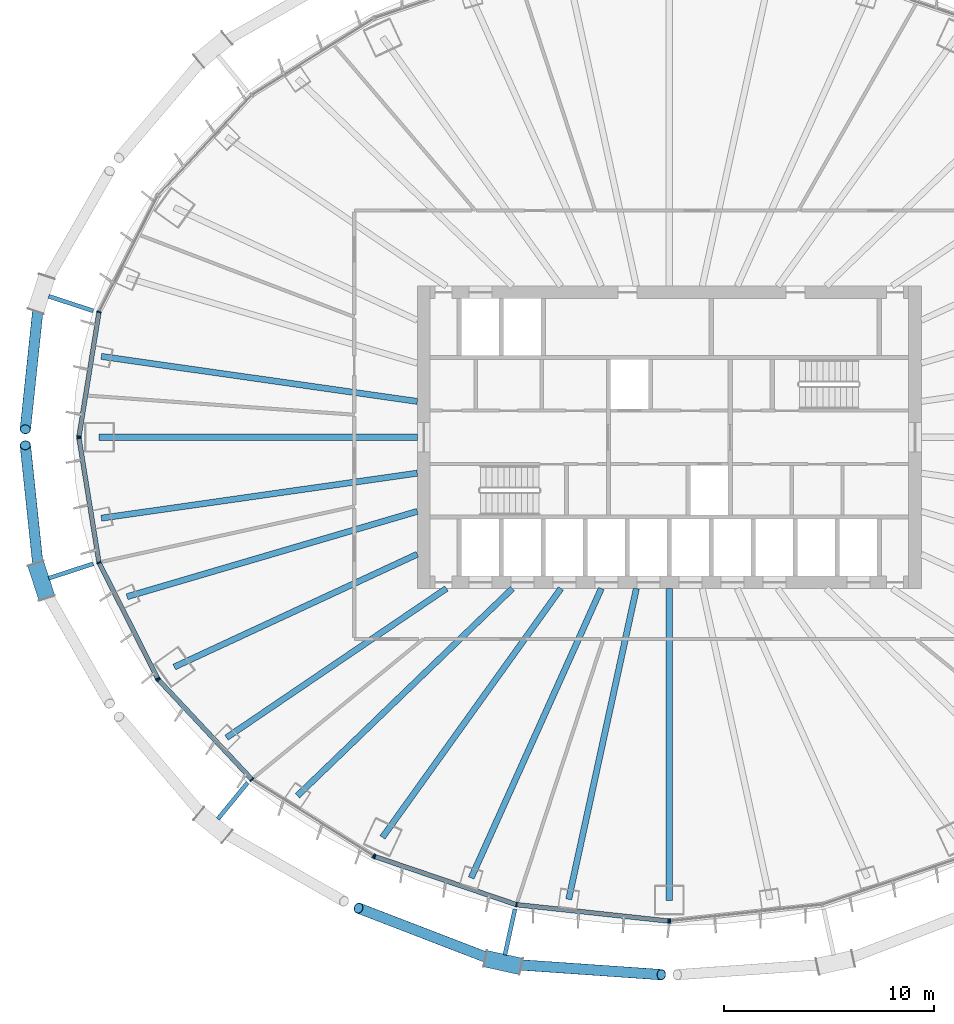
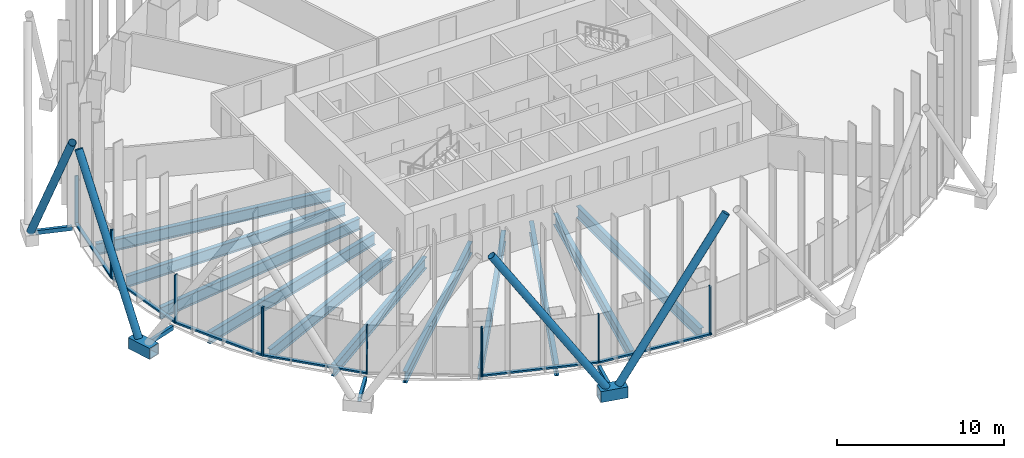
# One storey, part 2 of 22: 28 members, 11 beams, 5 elements without a shape of their own.
"""IFC4 building model written with IfcOpenShell, lengths in metres."""

import ifcopenshell
import ifcopenshell.guid

model = None  # the IFC model being written
_history = None  # IfcOwnerHistory: only IFC2X3 demands one
_inside = {}  # id of a spatial element -> (the spatial element, [elements in it])
_under = {}  # id of a project, library or spatial element -> (it, [spatial elements below it])
_declared = {}  # id of a project -> (the project, [libraries it declares])
_typed = {}  # id of a type object -> (the type object, [elements of that type])
_made_of = {}  # id of a material, layer set ... -> (it, [elements and type objects made of it])


def new_model(schema):
    """Start an empty IFC model of exactly this schema.

    Asked for "IFC4X3", IfcOpenShell would pick the latest addendum, in which some entities
    have other attributes; the version numbers below select the first issue.
    IFC2X3 requires an IfcOwnerHistory on every rooted entity: one is made here for all.
    """
    global model, _history
    if schema == "IFC4X3":
        model = ifcopenshell.file(schema_version=(4, 3, 0, 0))
    else:
        model = ifcopenshell.file(schema=schema)
    _inside.clear()
    _under.clear()
    _declared.clear()
    _typed.clear()
    _made_of.clear()
    _history = None
    if model.schema == "IFC2X3":
        org = make("IfcOrganization", Name="unknown")
        user = make(
            "IfcPersonAndOrganization",
            ThePerson=make("IfcPerson", FamilyName="unknown"),
            TheOrganization=org,
        )
        app = make(
            "IfcApplication",
            ApplicationDeveloper=org,
            Version="unknown",
            ApplicationFullName="unknown",
            ApplicationIdentifier="unknown",
        )
        _history = make(
            "IfcOwnerHistory",
            OwningUser=user,
            OwningApplication=app,
            ChangeAction="ADDED",
            CreationDate=0,
        )
    return model


def make(cls, **values):
    """One entity of the class cls with the attributes given. An attribute that is None is left unset."""
    return model.create_entity(
        cls, **{name: value for name, value in values.items() if value is not None}
    )


def rooted(cls, **values):
    """An entity with a GlobalId (a new one), such as an element, a storey or a relation."""
    return make(cls, GlobalId=ifcopenshell.guid.new(), OwnerHistory=_history, **values)


def si_unit(unit_type, name, prefix=None):
    """IfcSIUnit, for example si_unit("LENGTHUNIT", "METRE", prefix="MILLI")."""
    return make("IfcSIUnit", UnitType=unit_type, Prefix=prefix, Name=name)


def assignment(units):
    """IfcUnitAssignment: the units of a project."""
    return None if units is None else make("IfcUnitAssignment", Units=units)


def point(xyz):
    """IfcCartesianPoint."""
    return None if xyz is None else make("IfcCartesianPoint", Coordinates=xyz)


def direction(xyz):
    """IfcDirection."""
    return None if xyz is None else make("IfcDirection", DirectionRatios=xyz)


def frame(location, z_axis=None, x_axis=None):
    """IfcAxis2Placement3D, a coordinate frame: its origin and axes. An axis left out is left unset."""
    return make(
        "IfcAxis2Placement3D",
        Location=point(location),
        Axis=direction(z_axis),
        RefDirection=direction(x_axis),
    )


def frame_2d(location, x_axis=None):
    """IfcAxis2Placement2D, a coordinate frame in the plane: its origin and x axis."""
    return make(
        "IfcAxis2Placement2D", Location=point(location), RefDirection=direction(x_axis)
    )


def origin():
    """The frame at (0, 0, 0) with its axes left unset."""
    return frame((0.0, 0.0, 0.0))


def origin_2d():
    """The frame at (0, 0) in the plane with its x axis left unset."""
    return frame_2d((0.0, 0.0))


def place(relative_to, where):
    """IfcLocalPlacement: puts the frame where relative to a parent placement (None: the world)."""
    return make(
        "IfcLocalPlacement", PlacementRelTo=relative_to, RelativePlacement=where
    )


def context(
    kind, dimensions, precision=None, world=None, true_north=None, identifier=None
):
    """IfcGeometricRepresentationContext, for example the 3D "Model" context."""
    return make(
        "IfcGeometricRepresentationContext",
        ContextIdentifier=identifier,
        ContextType=kind,
        CoordinateSpaceDimension=dimensions,
        Precision=precision,
        WorldCoordinateSystem=world,
        TrueNorth=true_north,
    )


def subcontext(parent, identifier, kind, view, scale=None):
    """IfcGeometricRepresentationSubContext, for example "Body" below "Model"."""
    return make(
        "IfcGeometricRepresentationSubContext",
        ContextIdentifier=identifier,
        ContextType=kind,
        ParentContext=parent,
        TargetScale=scale,
        TargetView=view,
    )


def project(units=None, contexts=None):
    """IfcProject with its units and contexts."""
    return rooted(
        "IfcProject",
        Name="project",
        RepresentationContexts=contexts,
        UnitsInContext=assignment(units),
    )


def spatial(cls, under=None, at=None, **own):
    """A site, building, storey or space (cls), placed at a placement, below another one or the project."""
    s = rooted(cls, ObjectPlacement=at, **own)
    if under is not None:
        _under.setdefault(under.id(), (under, []))[1].append(s)
    return s


def profile(cls, at=None, kind="AREA", **sizes):
    """A parametric profile (cls). Its sizes go by their IFC names, for example OverallWidth=200.0."""
    return make(cls, ProfileType=kind, Position=at, **sizes)


def rectangle(**sizes):
    """IfcRectangleProfileDef."""
    return profile("IfcRectangleProfileDef", **sizes)


def hollow_rectangle(**sizes):
    """IfcRectangleHollowProfileDef."""
    return profile("IfcRectangleHollowProfileDef", **sizes)


def hollow_circle(**sizes):
    """IfcCircleHollowProfileDef."""
    return profile("IfcCircleHollowProfileDef", **sizes)


def i_section(**sizes):
    """IfcIShapeProfileDef."""
    return profile("IfcIShapeProfileDef", **sizes)


def extrude(swept, where, along, depth):
    """IfcExtrudedAreaSolid: the profile swept, set in the frame where, extruded along a direction by depth."""
    return make(
        "IfcExtrudedAreaSolid",
        SweptArea=swept,
        Position=where,
        ExtrudedDirection=direction(along),
        Depth=depth,
    )


def shape(context_of_items, identifier, shape_type, items):
    """IfcShapeRepresentation: the items that make up one representation, for example the "Body"."""
    return make(
        "IfcShapeRepresentation",
        ContextOfItems=context_of_items,
        RepresentationIdentifier=identifier,
        RepresentationType=shape_type,
        Items=items,
    )


def material(Name=None, Category=None):
    """IfcMaterial."""
    return make("IfcMaterial", Name=Name, Category=Category)


def layer(
    of_material, thickness, ventilated=None, Name=None, Category=None, Priority=None
):
    """IfcMaterialLayer: one layer of a wall or slab, of a material (None: an air gap)."""
    return make(
        "IfcMaterialLayer",
        Material=of_material,
        LayerThickness=thickness,
        IsVentilated=ventilated,
        Name=Name,
        Category=Category,
        Priority=Priority,
    )


def layer_set(layers, Name=None):
    """IfcMaterialLayerSet."""
    return make("IfcMaterialLayerSet", MaterialLayers=layers, LayerSetName=Name)


def material_profile(
    of_material, cross_section, Name=None, Category=None, Priority=None
):
    """IfcMaterialProfile: a cross section and its material."""
    return make(
        "IfcMaterialProfile",
        Name=Name,
        Material=of_material,
        Profile=cross_section,
        Priority=Priority,
        Category=Category,
    )


def profile_set(profiles, Name=None, composite=None):
    """IfcMaterialProfileSet."""
    return make(
        "IfcMaterialProfileSet",
        Name=Name,
        MaterialProfiles=profiles,
        CompositeProfile=composite,
    )


def made_of(thing, what):
    """Note that an element or type object is made of a material, layer set ...; save() writes the relation."""
    if what is not None:
        _made_of.setdefault(what.id(), (what, []))[1].append(thing)
    return thing


def type_object(cls, material=None, **own):
    """A type object (cls), such as IfcWallType, which elements share."""
    return made_of(rooted(cls, **own), material)


def element(
    cls,
    number,
    at=None,
    inside=None,
    cuts=None,
    type_object=None,
    material=None,
    context=None,
    identifier="Body",
    shape_type=None,
    held_by="IfcProductDefinitionShape",
    body=None,
    shapes=None,
    **own,
):
    """One element of the class cls, such as IfcWall. Its Tag is "e" and its number.

    at: its placement. inside: the storey or other place that contains it. cuts: it is an
    opening in that element (IfcRelVoidsElement). A single representation is given by context,
    identifier, shape_type and body (its items); several are given by shapes. held_by: the class
    of the entity that holds the representations. save() writes the other relations.
    """
    e = rooted(cls, Tag="e%d" % number, ObjectPlacement=at, **own)
    if body is not None:
        shapes = [shape(context, identifier, shape_type, body)]
    if shapes is not None:
        e.Representation = make(held_by, Representations=shapes)
    if inside is not None:
        _inside.setdefault(inside.id(), (inside, []))[1].append(e)
    if cuts is not None:
        rooted(
            "IfcRelVoidsElement", RelatingBuildingElement=cuts, RelatedOpeningElement=e
        )
    if type_object is not None:
        _typed.setdefault(type_object.id(), (type_object, []))[1].append(e)
    return made_of(e, material)


def aggregate(whole, parts):
    """IfcRelAggregates: a whole, such as a stair, and the parts it consists of."""
    return rooted("IfcRelAggregates", RelatingObject=whole, RelatedObjects=parts)


def save(model, path):
    """Write the relations noted so far, then the file.

    IfcRelAggregates (storeys below a building ...), IfcRelContainedInSpatialStructure (elements
    in a storey), IfcRelDefinesByType, IfcRelAssociatesMaterial and IfcRelDeclares: one each for
    every whole, place, type object, material and project.
    """
    for whole, parts in _under.values():
        aggregate(whole, parts)
    for where, things in _inside.values():
        rooted(
            "IfcRelContainedInSpatialStructure",
            RelatedElements=things,
            RelatingStructure=where,
        )
    for kind, things in _typed.values():
        rooted("IfcRelDefinesByType", RelatedObjects=things, RelatingType=kind)
    for what, things in _made_of.values():
        rooted("IfcRelAssociatesMaterial", RelatedObjects=things, RelatingMaterial=what)
    for by, libraries in _declared.values():
        rooted("IfcRelDeclares", RelatingContext=by, RelatedDefinitions=libraries)
    model.write(path)


model = new_model("IFC4")

# Units and contexts
model_context = context("Model", 3, precision=1e-05, world=origin(), true_north=direction((0.0, 1.0)))
body_context = subcontext(model_context, "Body", "Model", "MODEL_VIEW")
ifc_project = project(units=[si_unit("LENGTHUNIT", "METRE"), si_unit("AREAUNIT", "SQUARE_METRE"), si_unit("VOLUMEUNIT", "CUBIC_METRE"), si_unit("PLANEANGLEUNIT", "RADIAN"), si_unit("MASSUNIT", "GRAM", prefix="KILO")], contexts=[model_context])

# Site, building, storey
site_placement = place(None, origin())
site = spatial("IfcSite", under=ifc_project, at=site_placement, CompositionType="ELEMENT")
building_placement = place(site_placement, origin())
building = spatial("IfcBuilding", under=site, at=building_placement, Name="Siaravel Broadcast Tower", CompositionType="ELEMENT")
storey_placement = place(building_placement, frame((0.0, 0.0, 37.10009765625)))
storey = spatial("IfcBuildingStorey", under=building, at=storey_placement, Name="L07", CompositionType="ELEMENT", Elevation=37.10009765625)

# Beams
ifc_material_1 = material(Name="Steel S355", Category="steel")
ifc_material_profile_1 = material_profile(ifc_material_1, i_section(OverallWidth=0.291748046875, OverallDepth=0.8349609375, WebThickness=0.013916015625, FlangeThickness=0.018798828125, FilletRadius=0.017822265625, at=origin_2d()))
ifc_profile_set_1 = profile_set([ifc_material_profile_1], Name="Steel S355")
beam_type = type_object("IfcBeamType", Name="BM-UB 838x292x176", PredefinedType="BEAM", material=ifc_profile_set_1)
beam_1_placement = place(storey_placement, frame((-27.046875, 3.85107421875, -0.5673828125), z_axis=(0.990013645, -0.140971569, 0.0), x_axis=(0.140971569, 0.990013645, 0.0)))
element("IfcBeam", 1, at=beam_1_placement, inside=storey, type_object=beam_type, Name="Radial beam RB18", PredefinedType="BEAM", context=body_context, shape_type="SweptSolid", body=[
    extrude(i_section(OverallWidth=0.291748046875, OverallDepth=0.8349609375, WebThickness=0.013916015625, FlangeThickness=0.018798828125, FilletRadius=0.017822265625, at=origin_2d()), origin(), (0.0, 0.0, 1.0), 15.19873046875),
])
beam_2_placement = place(storey_placement, frame((-27.158203125, 0.0, -0.5673828125), z_axis=(1.0, 0.0, 0.0), x_axis=(0.0, 1.0, 0.0)))
element("IfcBeam", 2, at=beam_2_placement, inside=storey, type_object=beam_type, Name="Radial beam RB19", PredefinedType="BEAM", context=body_context, shape_type="SweptSolid", body=[
    extrude(i_section(OverallWidth=0.291748046875, OverallDepth=0.8349609375, WebThickness=0.013916015625, FlangeThickness=0.018798828125, FilletRadius=0.017822265625, at=origin_2d()), origin(), (0.0, 0.0, 1.0), 15.158203125),
])
beam_3_placement = place(storey_placement, frame((-27.046875, -3.85107421875, -0.5673828125), z_axis=(0.990013645, 0.140971569, 0.0), x_axis=(-0.140971569, 0.990013645, 0.0)))
element("IfcBeam", 3, at=beam_3_placement, inside=storey, type_object=beam_type, Name="Radial beam RB20", PredefinedType="BEAM", context=body_context, shape_type="SweptSolid", body=[
    extrude(i_section(OverallWidth=0.291748046875, OverallDepth=0.8349609375, WebThickness=0.013916015625, FlangeThickness=0.018798828125, FilletRadius=0.017822265625, at=origin_2d()), origin(), (0.0, 0.0, 1.0), 15.19873046875),
])
beam_4_placement = place(storey_placement, frame((-25.822998046875, -7.591796875, -0.5673828125), z_axis=(0.959395986, 0.282062657, 0.0), x_axis=(-0.282062657, 0.959395986, 0.0)))
element("IfcBeam", 4, at=beam_4_placement, inside=storey, type_object=beam_type, Name="Radial beam RB21", PredefinedType="BEAM", context=body_context, shape_type="SweptSolid", body=[
    extrude(i_section(OverallWidth=0.291748046875, OverallDepth=0.8349609375, WebThickness=0.013916015625, FlangeThickness=0.018798828125, FilletRadius=0.017822265625, at=origin_2d()), origin(), (0.0, 0.0, 1.0), 14.407958984375),
])
beam_5_placement = place(storey_placement, frame((-23.5732421875, -10.939697265625, -0.5673828125), z_axis=(0.907082041, 0.420953882, 0.0), x_axis=(-0.420953882, 0.907082041, 0.0)))
element("IfcBeam", 5, at=beam_5_placement, inside=storey, type_object=beam_type, Name="Radial beam RB22", PredefinedType="BEAM", context=body_context, shape_type="SweptSolid", body=[
    extrude(i_section(OverallWidth=0.291748046875, OverallDepth=0.8349609375, WebThickness=0.013916015625, FlangeThickness=0.018798828125, FilletRadius=0.017822265625, at=origin_2d()), origin(), (0.0, 0.0, 1.0), 12.7587890625),
])
beam_6_placement = place(storey_placement, frame((-21.088134765625, -14.305908203125, -0.5673828125), z_axis=(0.827542342, 0.561403306, 0.0), x_axis=(-0.561403306, 0.827542342, 0.0)))
element("IfcBeam", 6, at=beam_6_placement, inside=storey, type_object=beam_type, Name="Radial beam RB23", PredefinedType="BEAM", context=body_context, shape_type="SweptSolid", body=[
    extrude(i_section(OverallWidth=0.291748046875, OverallDepth=0.8349609375, WebThickness=0.013916015625, FlangeThickness=0.018798828125, FilletRadius=0.017822265625, at=origin_2d()), origin(), (0.0, 0.0, 1.0), 12.657470703125),
])
beam_7_placement = place(storey_placement, frame((-17.7109375, -17.072021484375, -0.5673828125), z_axis=(0.71997139, 0.694003745, 0.0), x_axis=(-0.694003745, 0.71997139, 0.0)))
element("IfcBeam", 7, at=beam_7_placement, inside=storey, type_object=beam_type, Name="Radial beam RB24", PredefinedType="BEAM", context=body_context, shape_type="SweptSolid", body=[
    extrude(i_section(OverallWidth=0.291748046875, OverallDepth=0.8349609375, WebThickness=0.013916015625, FlangeThickness=0.018798828125, FilletRadius=0.017822265625, at=origin_2d()), origin(), (0.0, 0.0, 1.0), 14.224853515625),
])
beam_8_placement = place(storey_placement, frame((-13.65869140625, -19.05126953125, -0.5673828125), z_axis=(0.582661067, 0.812715252, 0.0), x_axis=(-0.812715252, 0.582661067, 0.0)))
element("IfcBeam", 8, at=beam_8_placement, inside=storey, type_object=beam_type, Name="Radial beam RB25", PredefinedType="BEAM", context=body_context, shape_type="SweptSolid", body=[
    extrude(i_section(OverallWidth=0.291748046875, OverallDepth=0.8349609375, WebThickness=0.013916015625, FlangeThickness=0.018798828125, FilletRadius=0.017822265625, at=origin_2d()), origin(), (0.0, 0.0, 1.0), 14.582275390625),
])
beam_9_placement = place(storey_placement, frame((-9.436279296875, -20.984130859375, -0.5673828125), z_axis=(0.410122863, 0.912030283, 0.0), x_axis=(-0.912030283, 0.410122863, 0.0)))
element("IfcBeam", 9, at=beam_9_placement, inside=storey, type_object=beam_type, Name="Radial beam RB26", PredefinedType="BEAM", context=body_context, shape_type="SweptSolid", body=[
    extrude(i_section(OverallWidth=0.291748046875, OverallDepth=0.8349609375, WebThickness=0.013916015625, FlangeThickness=0.018798828125, FilletRadius=0.017822265625, at=origin_2d()), origin(), (0.0, 0.0, 1.0), 15.11376953125),
])
beam_10_placement = place(storey_placement, frame((-4.79248046875, -22.003173828125, -0.5673828125), z_axis=(0.212809631, 0.977093681, 0.0), x_axis=(-0.977093681, 0.212809631, 0.0)))
element("IfcBeam", 10, at=beam_10_placement, inside=storey, type_object=beam_type, Name="Radial beam RB27", PredefinedType="BEAM", context=body_context, shape_type="SweptSolid", body=[
    extrude(i_section(OverallWidth=0.291748046875, OverallDepth=0.8349609375, WebThickness=0.013916015625, FlangeThickness=0.018798828125, FilletRadius=0.017822265625, at=origin_2d()), origin(), (0.0, 0.0, 1.0), 15.150146484375),
])
beam_11_placement = place(storey_placement, frame((0.0, -22.046630859375, -0.5673828125), z_axis=(0.0, 1.0, 0.0), x_axis=(-1.0, 0.0, 0.0)))
element("IfcBeam", 11, at=beam_11_placement, inside=storey, type_object=beam_type, Name="Radial beam RB28", PredefinedType="BEAM", context=body_context, shape_type="SweptSolid", body=[
    extrude(i_section(OverallWidth=0.291748046875, OverallDepth=0.8349609375, WebThickness=0.013916015625, FlangeThickness=0.018798828125, FilletRadius=0.017822265625, at=origin_2d()), origin(), (0.0, 0.0, 1.0), 14.8466796875),
])

# Curtain wall, members
ifc_material_2 = material(Name="Aluminium 6063-T6", Category="aluminium")
ifc_layer = layer(ifc_material_2, 0.219970703125)
ifc_layer_set = layer_set([ifc_layer], Name="Aluminium 6063-T6")
curtain_wall_type = type_object("IfcCurtainWallType", Name="Unitised curtain wall, zone 1", PredefinedType="NOTDEFINED", material=ifc_layer_set)
curtain_wall_1_placement = place(storey_placement, origin())
curtain_wall_1 = element("IfcCurtainWall", 12, at=curtain_wall_1_placement, inside=storey, type_object=curtain_wall_type, Name="L07 Unitised curtain wall, zone 1 06", PredefinedType="NOTDEFINED")
ifc_material_profile_2 = material_profile(ifc_material_2, rectangle(XDim=0.219970703125, YDim=0.070068359375, at=origin_2d()))
ifc_profile_set_2 = profile_set([ifc_material_profile_2], Name="Aluminium 6063-T6")
member_type_1 = type_object("IfcMemberType", Name="CW-Z1 mullion", PredefinedType="MULLION", material=ifc_profile_set_2)
member_1_placement = place(storey_placement, frame((-27.1572265625, 5.965576171875, 0.0), z_axis=(0.0, 0.0, 1.0), x_axis=(0.951177076, -0.308645704, 0.0)))
member_1 = element("IfcMember", 13, at=member_1_placement, type_object=member_type_1, Name="CW-Z1 mullion 2", PredefinedType="MULLION", context=body_context, shape_type="SweptSolid", body=[
    extrude(rectangle(XDim=0.219970703125, YDim=0.070068359375, at=origin_2d()), origin(), (0.0, 0.0, 1.0), 3.5498046875),
])
member_2_placement = place(storey_placement, frame((-28.110595703125, 0.03466796875, 0.0), z_axis=(0.0, 0.0, 1.0), x_axis=(0.987329133, -0.158685802, 0.0)))
member_2 = element("IfcMember", 14, at=member_2_placement, type_object=member_type_1, Name="CW-Z1 mullion 3", PredefinedType="MULLION", context=body_context, shape_type="SweptSolid", body=[
    extrude(rectangle(XDim=0.219970703125, YDim=0.070068359375, at=origin_2d()), origin(), (0.0, 0.0, 1.0), 3.5498046875),
])

curtain_wall_2_placement = place(storey_placement, origin())
curtain_wall_2 = element("IfcCurtainWall", 15, at=curtain_wall_2_placement, inside=storey, type_object=curtain_wall_type, Name="L07 Unitised curtain wall, zone 1 07", PredefinedType="NOTDEFINED")
member_3_placement = place(storey_placement, frame((-28.110595703125, -0.03466796875, 0.0), z_axis=(0.0, 0.0, 1.0), x_axis=(0.987329133, 0.158685802, 0.0)))
member_3 = element("IfcMember", 16, at=member_3_placement, type_object=member_type_1, Name="CW-Z1 mullion 1", PredefinedType="MULLION", context=body_context, shape_type="SweptSolid", body=[
    extrude(rectangle(XDim=0.219970703125, YDim=0.070068359375, at=origin_2d()), origin(), (0.0, 0.0, 1.0), 3.5498046875),
])
member_4_placement = place(storey_placement, frame((-27.1572265625, -5.965576171875, 0.0), z_axis=(0.0, 0.0, 1.0), x_axis=(0.951177076, 0.308645704, 0.0)))
member_4 = element("IfcMember", 17, at=member_4_placement, type_object=member_type_1, Name="CW-Z1 mullion 2", PredefinedType="MULLION", context=body_context, shape_type="SweptSolid", body=[
    extrude(rectangle(XDim=0.219970703125, YDim=0.070068359375, at=origin_2d()), origin(), (0.0, 0.0, 1.0), 3.5498046875),
])
member_5_placement = place(storey_placement, frame((-24.362548828125, -11.4921875, 0.0), z_axis=(0.0, 0.0, 1.0), x_axis=(0.892391814, 0.451261399, 0.0)))
member_5 = element("IfcMember", 18, at=member_5_placement, type_object=member_type_1, Name="CW-Z1 mullion 3", PredefinedType="MULLION", context=body_context, shape_type="SweptSolid", body=[
    extrude(rectangle(XDim=0.219970703125, YDim=0.070068359375, at=origin_2d()), origin(), (0.0, 0.0, 1.0), 3.5498046875),
])

curtain_wall_3_placement = place(storey_placement, origin())
curtain_wall_3 = element("IfcCurtainWall", 19, at=curtain_wall_3_placement, inside=storey, type_object=curtain_wall_type, Name="L07 Unitised curtain wall, zone 1 08", PredefinedType="NOTDEFINED")
member_6_placement = place(storey_placement, frame((-24.322998046875, -11.549072265625, 0.0), z_axis=(0.0, 0.0, 1.0), x_axis=(0.729804946, 0.683655426, 0.0)))
member_6 = element("IfcMember", 20, at=member_6_placement, type_object=member_type_1, Name="CW-Z1 mullion 1", PredefinedType="MULLION", context=body_context, shape_type="SweptSolid", body=[
    extrude(rectangle(XDim=0.219970703125, YDim=0.070068359375, at=origin_2d()), origin(), (0.0, 0.0, 1.0), 3.5498046875),
])
member_7_placement = place(storey_placement, frame((-19.87744140625, -16.294677734375, 0.0), z_axis=(0.0, 0.0, 1.0), x_axis=(0.63621841, 0.771508998, 0.0)))
member_7 = element("IfcMember", 21, at=member_7_placement, type_object=member_type_1, Name="CW-Z1 mullion 2", PredefinedType="MULLION", context=body_context, shape_type="SweptSolid", body=[
    extrude(rectangle(XDim=0.219970703125, YDim=0.070068359375, at=origin_2d()), origin(), (0.0, 0.0, 1.0), 3.5498046875),
])
member_8_placement = place(storey_placement, frame((-14.083984375, -19.935791015625, 0.0), z_axis=(0.0, 0.0, 1.0), x_axis=(0.532149101, 0.846650657, 0.0)))
member_8 = element("IfcMember", 22, at=member_8_placement, type_object=member_type_1, Name="CW-Z1 mullion 3", PredefinedType="MULLION", context=body_context, shape_type="SweptSolid", body=[
    extrude(rectangle(XDim=0.219970703125, YDim=0.070068359375, at=origin_2d()), origin(), (0.0, 0.0, 1.0), 3.5498046875),
])

curtain_wall_4_placement = place(storey_placement, origin())
curtain_wall_4 = element("IfcCurtainWall", 23, at=curtain_wall_4_placement, inside=storey, type_object=curtain_wall_type, Name="L07 Unitised curtain wall, zone 1 09", PredefinedType="NOTDEFINED")
member_9_placement = place(storey_placement, frame((-14.021240234375, -19.9658203125, 0.0), z_axis=(0.0, 0.0, 1.0), x_axis=(0.321300632, 0.946977246, 0.0)))
member_9 = element("IfcMember", 24, at=member_9_placement, type_object=member_type_1, Name="CW-Z1 mullion 1", PredefinedType="MULLION", context=body_context, shape_type="SweptSolid", body=[
    extrude(rectangle(XDim=0.219970703125, YDim=0.070068359375, at=origin_2d()), origin(), (0.0, 0.0, 1.0), 3.5498046875),
])
member_10_placement = place(storey_placement, frame((-7.27490234375, -22.2548828125, 0.0), z_axis=(0.0, 0.0, 1.0), x_axis=(0.215558083, 0.97649102, 0.0)))
member_10 = element("IfcMember", 25, at=member_10_placement, type_object=member_type_1, Name="CW-Z1 mullion 2", PredefinedType="MULLION", context=body_context, shape_type="SweptSolid", body=[
    extrude(rectangle(XDim=0.219970703125, YDim=0.070068359375, at=origin_2d()), origin(), (0.0, 0.0, 1.0), 3.5498046875),
])
member_11_placement = place(storey_placement, frame((-0.034912109375, -23.035400390625, 0.0), z_axis=(0.0, 0.0, 1.0), x_axis=(0.107217509, 0.994235589, 0.0)))
member_11 = element("IfcMember", 26, at=member_11_placement, type_object=member_type_1, Name="CW-Z1 mullion 3", PredefinedType="MULLION", context=body_context, shape_type="SweptSolid", body=[
    extrude(rectangle(XDim=0.219970703125, YDim=0.070068359375, at=origin_2d()), origin(), (0.0, 0.0, 1.0), 3.5498046875),
])

# Curtain wall, member
curtain_wall_5_placement = place(storey_placement, origin())
curtain_wall_5 = element("IfcCurtainWall", 27, at=curtain_wall_5_placement, inside=storey, type_object=curtain_wall_type, Name="L07 Unitised curtain wall, zone 1 10", PredefinedType="NOTDEFINED")
member_12_placement = place(storey_placement, frame((0.034912109375, -23.035400390625, 0.0), z_axis=(0.0, 0.0, 1.0), x_axis=(-0.107217509, 0.994235589, 0.0)))
member_12 = element("IfcMember", 28, at=member_12_placement, type_object=member_type_1, Name="CW-Z1 mullion 1", PredefinedType="MULLION", context=body_context, shape_type="SweptSolid", body=[
    extrude(rectangle(XDim=0.219970703125, YDim=0.070068359375, at=origin_2d()), origin(), (0.0, 0.0, 1.0), 3.5498046875),
])
aggregate(curtain_wall_5, [member_12])

# Member
ifc_material_profile_3 = material_profile(ifc_material_2, rectangle(XDim=0.219970703125, YDim=0.1201171875, at=origin_2d()))
ifc_profile_set_3 = profile_set([ifc_material_profile_3], Name="Aluminium 6063-T6")
member_type_2 = type_object("IfcMemberType", Name="CW-Z1 transom", PredefinedType="USERDEFINED", material=ifc_profile_set_3)
member_13_placement = place(storey_placement, frame((-27.162841796875, 5.93115234375, 0.059814453125), z_axis=(-0.158681674, -0.987329796, 0.0), x_axis=(0.987329796, -0.158681674, 0.0)))
member_13 = element("IfcMember", 29, at=member_13_placement, type_object=member_type_2, Name="CW-Z1 transom 2", ObjectType="TRANSOM", PredefinedType="USERDEFINED", context=body_context, shape_type="SweptSolid", body=[
    extrude(rectangle(XDim=0.219970703125, YDim=0.1201171875, at=origin_2d()), origin(), (0.0, 0.0, 1.0), 5.937255859375),
])

aggregate(curtain_wall_1, [member_1, member_2, member_13])

member_14_placement = place(storey_placement, frame((-28.10498046875, -0.069091796875, 0.059814453125), z_axis=(0.158681674, -0.987329796, 0.0), x_axis=(0.987329796, 0.158681674, 0.0)))
member_14 = element("IfcMember", 30, at=member_14_placement, type_object=member_type_2, Name="CW-Z1 transom 1", ObjectType="TRANSOM", PredefinedType="USERDEFINED", context=body_context, shape_type="SweptSolid", body=[
    extrude(rectangle(XDim=0.219970703125, YDim=0.1201171875, at=origin_2d()), origin(), (0.0, 0.0, 1.0), 5.937255859375),
])

member_15_placement = place(storey_placement, frame((-27.1416015625, -5.996826171875, 0.059814453125), z_axis=(0.451275958, -0.892384452, 0.0), x_axis=(0.892384452, 0.451275958, 0.0)))
member_15 = element("IfcMember", 31, at=member_15_placement, type_object=member_type_2, Name="CW-Z1 transom 2", ObjectType="TRANSOM", PredefinedType="USERDEFINED", context=body_context, shape_type="SweptSolid", body=[
    extrude(rectangle(XDim=0.219970703125, YDim=0.1201171875, at=origin_2d()), origin(), (0.0, 0.0, 1.0), 6.123046875),
])

aggregate(curtain_wall_2, [member_3, member_4, member_5, member_14, member_15])

member_16_placement = place(storey_placement, frame((-24.299072265625, -11.574462890625, 0.059814453125), z_axis=(0.683654492, -0.72980582, 0.0), x_axis=(0.72980582, 0.683654492, 0.0)))
member_16 = element("IfcMember", 32, at=member_16_placement, type_object=member_type_2, Name="CW-Z1 transom 1", ObjectType="TRANSOM", PredefinedType="USERDEFINED", context=body_context, shape_type="SweptSolid", body=[
    extrude(rectangle(XDim=0.219970703125, YDim=0.1201171875, at=origin_2d()), origin(), (0.0, 0.0, 1.0), 6.4326171875),
])

aggregate(curtain_wall_3, [member_6, member_7, member_8, member_16])

member_17_placement = place(storey_placement, frame((-13.988037109375, -19.97705078125, 0.059814453125), z_axis=(0.946973811, -0.321310754, 0.0), x_axis=(0.321310754, 0.946973811, 0.0)))
member_17 = element("IfcMember", 33, at=member_17_placement, type_object=member_type_2, Name="CW-Z1 transom 1", ObjectType="TRANSOM", PredefinedType="USERDEFINED", context=body_context, shape_type="SweptSolid", body=[
    extrude(rectangle(XDim=0.219970703125, YDim=0.1201171875, at=origin_2d()), origin(), (0.0, 0.0, 1.0), 7.05419921875),
])

member_18_placement = place(storey_placement, frame((-7.239990234375, -22.258544921875, 0.059814453125), z_axis=(0.994236438, -0.107209629, 0.0), x_axis=(0.107209629, 0.994236438, 0.0)))
member_18 = element("IfcMember", 34, at=member_18_placement, type_object=member_type_2, Name="CW-Z1 transom 2", ObjectType="TRANSOM", PredefinedType="USERDEFINED", context=body_context, shape_type="SweptSolid", body=[
    extrude(rectangle(XDim=0.219970703125, YDim=0.1201171875, at=origin_2d()), origin(), (0.0, 0.0, 1.0), 7.2119140625),
])

aggregate(curtain_wall_4, [member_9, member_10, member_11, member_17, member_18])

# Members
ifc_material_3 = material(Name="Steel S460", Category="steel")
ifc_material_profile_4 = material_profile(ifc_material_3, hollow_circle(Radius=0.25390625, WallThickness=0.02001953125, at=origin_2d()))
ifc_profile_set_4 = profile_set([ifc_material_profile_4], Name="Steel S460")
member_type_3 = type_object("IfcMemberType", Name="Diagrid diagonal CHS 508x20", PredefinedType="BRACE", material=ifc_profile_set_4)
for number, where, z_axis, x_axis, name in (
    (35, (-30.02490234375, 6.469482421875, 0.169921875), (-0.053083193, -0.504249909, 0.861924709), (0.994504579, -0.104693086, 0.0), "Diagrid diagonal R04 station 33A"),
    (36, (-30.02490234375, -6.469482421875, 0.169921875), (-0.053083193, 0.504249909, 0.861924709), (-0.994504579, -0.104693086, 0.0), "Diagrid diagonal R04 station 39C"),
):
    element("IfcMember", number, at=place(storey_placement, frame(where, z_axis=z_axis, x_axis=x_axis)), inside=storey, type_object=member_type_3, Name=name, PredefinedType="BRACE", context=body_context, shape_type="SweptSolid", body=[
        extrude(hollow_circle(Radius=0.25390625, WallThickness=0.02001953125, at=origin_2d()), origin(), (0.0, 0.0, 1.0), 12.07763671875),
    ])
member_19_placement = place(storey_placement, frame((-8.279296875, -24.93115234375, 0.169921875), z_axis=(-0.520194937, 0.200133392, 0.830267338), x_axis=(-0.359070379, -0.933310486, 0.0)))
element("IfcMember", 37, at=member_19_placement, inside=storey, type_object=member_type_3, Name="Diagrid diagonal R04 station 51C", PredefinedType="BRACE", context=body_context, shape_type="SweptSolid", body=[
    extrude(hollow_circle(Radius=0.25390625, WallThickness=0.02001953125, at=origin_2d()), origin(), (0.0, 0.0, 1.0), 12.5380859375),
])
member_20_placement = place(storey_placement, frame((-7.5380859375, -25.09375, 0.169921875), z_axis=(0.566194211, -0.039198358, 0.823339301), x_axis=(0.069065976, 0.997612094, 0.0)))
element("IfcMember", 38, at=member_20_placement, inside=storey, type_object=member_type_3, Name="Diagrid diagonal R04 station 51A", PredefinedType="BRACE", context=body_context, shape_type="SweptSolid", body=[
    extrude(hollow_circle(Radius=0.25390625, WallThickness=0.02001953125, at=origin_2d()), origin(), (0.0, 0.0, 1.0), 12.6435546875),
])
ifc_material_profile_5 = material_profile(ifc_material_3, hollow_rectangle(XDim=0.800048828125, YDim=0.800048828125, WallThickness=0.050048828125, at=origin_2d()))
ifc_profile_set_5 = profile_set([ifc_material_profile_5], Name="Steel S460")
member_type_4 = type_object("IfcMemberType", Name="Diagrid node BOX 800x800x50", PredefinedType="USERDEFINED", material=ifc_profile_set_5)
for number, where, z_axis, x_axis, name in (
    (39, (-30.17431640625, -6.01220703125, -0.2001953125), (0.310817725, -0.950469538, 0.0), (0.950469538, 0.310817725, 0.0), "Diagrid node R04 station 39"),
    (40, (-8.749267578125, -24.827880859375, -0.2001953125), (0.976724775, -0.214496421, 0.0), (0.214496421, 0.976724775, 0.0), "Diagrid node R04 station 51"),
):
    element("IfcMember", number, at=place(storey_placement, frame(where, z_axis=z_axis, x_axis=x_axis)), inside=storey, type_object=member_type_4, Name=name, ObjectType="DIAGRID NODE", PredefinedType="USERDEFINED", context=body_context, shape_type="SweptSolid", body=[
        extrude(hollow_rectangle(XDim=0.800048828125, YDim=0.800048828125, WallThickness=0.050048828125, at=origin_2d()), origin(), (0.0, 0.0, 1.0), 1.720947265625),
    ])
ifc_material_profile_6 = material_profile(ifc_material_3, hollow_rectangle(XDim=0.199951171875, YDim=0.300048828125, WallThickness=0.012451171875, at=origin_2d()))
ifc_profile_set_6 = profile_set([ifc_material_profile_6], Name="Steel S460")
member_type_5 = type_object("IfcMemberType", Name="Diagrid node arm RHS 300x200x12.5", PredefinedType="STRUT", material=ifc_profile_set_6)
for number, where, z_axis, x_axis, name in (
    (41, (-27.435791015625, 6.021484375, -0.2001953125), (-0.950398894, 0.311033666, 0.0), (-0.311033666, -0.950398894, 0.0), "Node arm R04 station 33"),
    (42, (-27.435791015625, -6.021484375, -0.2001953125), (-0.950398894, -0.311033666, 0.0), (0.311033666, -0.950398894, 0.0), "Node arm R04 station 39"),
):
    element("IfcMember", number, at=place(storey_placement, frame(where, z_axis=z_axis, x_axis=x_axis)), inside=storey, type_object=member_type_5, Name=name, PredefinedType="STRUT", context=body_context, shape_type="SweptSolid", body=[
        extrude(hollow_rectangle(XDim=0.199951171875, YDim=0.300048828125, WallThickness=0.012451171875, at=origin_2d()), origin(), (0.0, 0.0, 1.0), 2.22998046875),
    ])
member_21_placement = place(storey_placement, frame((-20.08447265625, -16.451416015625, -0.2001953125), z_axis=(-0.633613339, -0.77364988, 0.0), x_axis=(0.77364988, -0.633613339, 0.0)))
element("IfcMember", 43, at=member_21_placement, inside=storey, type_object=member_type_5, Name="Node arm R04 station 45", PredefinedType="STRUT", context=body_context, shape_type="SweptSolid", body=[
    extrude(hollow_rectangle(XDim=0.199951171875, YDim=0.300048828125, WallThickness=0.012451171875, at=origin_2d()), origin(), (0.0, 0.0, 1.0), 2.229736328125),
])
member_22_placement = place(storey_placement, frame((-7.351318359375, -22.472900390625, -0.2001953125), z_axis=(-0.214460789, -0.976732599, 0.0), x_axis=(0.976732599, -0.214460789, 0.0)))
element("IfcMember", 44, at=member_22_placement, inside=storey, type_object=member_type_5, Name="Node arm R04 station 51", PredefinedType="STRUT", context=body_context, shape_type="SweptSolid", body=[
    extrude(hollow_rectangle(XDim=0.199951171875, YDim=0.300048828125, WallThickness=0.012451171875, at=origin_2d()), origin(), (0.0, 0.0, 1.0), 2.230224609375),
])

save(model, "model.ifc")
